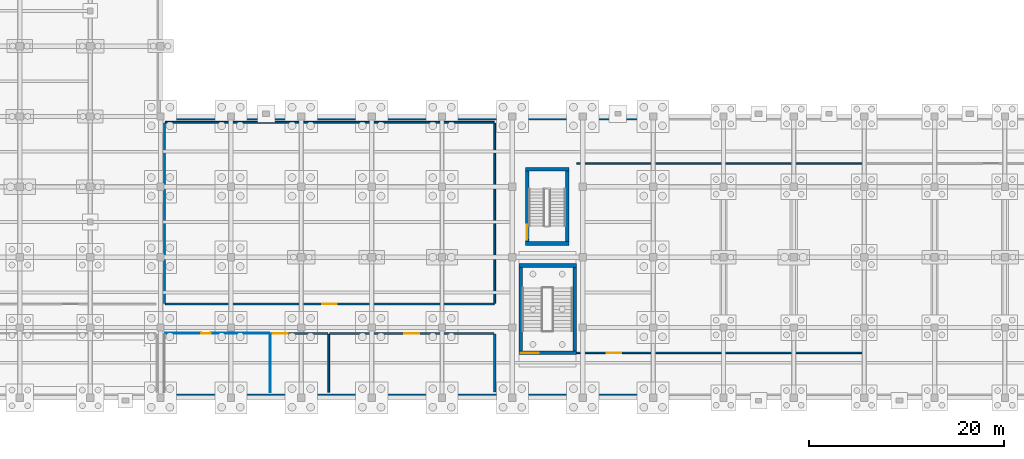
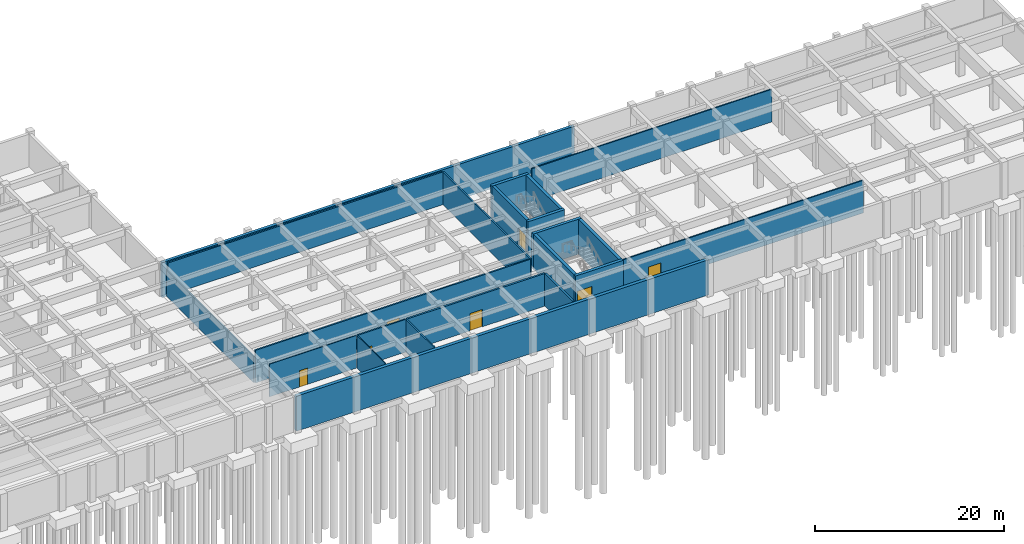
# One storey, part 17 of 28: 22 walls, 7 doors, 7 openings.
"""IFC4 building model written with IfcOpenShell, lengths in metres."""

import ifcopenshell
import ifcopenshell.guid

model = None  # the IFC model being written
_history = None  # IfcOwnerHistory: only IFC2X3 demands one
_inside = {}  # id of a spatial element -> (the spatial element, [elements in it])
_under = {}  # id of a project, library or spatial element -> (it, [spatial elements below it])
_declared = {}  # id of a project -> (the project, [libraries it declares])
_typed = {}  # id of a type object -> (the type object, [elements of that type])
_made_of = {}  # id of a material, layer set ... -> (it, [elements and type objects made of it])


def new_model(schema):
    """Start an empty IFC model of exactly this schema.

    Asked for "IFC4X3", IfcOpenShell would pick the latest addendum, in which some entities
    have other attributes; the version numbers below select the first issue.
    IFC2X3 requires an IfcOwnerHistory on every rooted entity: one is made here for all.
    """
    global model, _history
    if schema == "IFC4X3":
        model = ifcopenshell.file(schema_version=(4, 3, 0, 0))
    else:
        model = ifcopenshell.file(schema=schema)
    _inside.clear()
    _under.clear()
    _declared.clear()
    _typed.clear()
    _made_of.clear()
    _history = None
    if model.schema == "IFC2X3":
        org = make("IfcOrganization", Name="unknown")
        user = make(
            "IfcPersonAndOrganization",
            ThePerson=make("IfcPerson", FamilyName="unknown"),
            TheOrganization=org,
        )
        app = make(
            "IfcApplication",
            ApplicationDeveloper=org,
            Version="unknown",
            ApplicationFullName="unknown",
            ApplicationIdentifier="unknown",
        )
        _history = make(
            "IfcOwnerHistory",
            OwningUser=user,
            OwningApplication=app,
            ChangeAction="ADDED",
            CreationDate=0,
        )
    return model


def make(cls, **values):
    """One entity of the class cls with the attributes given. An attribute that is None is left unset."""
    return model.create_entity(
        cls, **{name: value for name, value in values.items() if value is not None}
    )


def rooted(cls, **values):
    """An entity with a GlobalId (a new one), such as an element, a storey or a relation."""
    return make(cls, GlobalId=ifcopenshell.guid.new(), OwnerHistory=_history, **values)


def si_unit(unit_type, name, prefix=None):
    """IfcSIUnit, for example si_unit("LENGTHUNIT", "METRE", prefix="MILLI")."""
    return make("IfcSIUnit", UnitType=unit_type, Prefix=prefix, Name=name)


def assignment(units):
    """IfcUnitAssignment: the units of a project."""
    return None if units is None else make("IfcUnitAssignment", Units=units)


def point(xyz):
    """IfcCartesianPoint."""
    return None if xyz is None else make("IfcCartesianPoint", Coordinates=xyz)


def direction(xyz):
    """IfcDirection."""
    return None if xyz is None else make("IfcDirection", DirectionRatios=xyz)


def frame(location, z_axis=None, x_axis=None):
    """IfcAxis2Placement3D, a coordinate frame: its origin and axes. An axis left out is left unset."""
    return make(
        "IfcAxis2Placement3D",
        Location=point(location),
        Axis=direction(z_axis),
        RefDirection=direction(x_axis),
    )


def frame_2d(location, x_axis=None):
    """IfcAxis2Placement2D, a coordinate frame in the plane: its origin and x axis."""
    return make(
        "IfcAxis2Placement2D", Location=point(location), RefDirection=direction(x_axis)
    )


def origin():
    """The frame at (0, 0, 0) with its axes left unset."""
    return frame((0.0, 0.0, 0.0))


def place(relative_to, where):
    """IfcLocalPlacement: puts the frame where relative to a parent placement (None: the world)."""
    return make(
        "IfcLocalPlacement", PlacementRelTo=relative_to, RelativePlacement=where
    )


def context(
    kind, dimensions, precision=None, world=None, true_north=None, identifier=None
):
    """IfcGeometricRepresentationContext, for example the 3D "Model" context."""
    return make(
        "IfcGeometricRepresentationContext",
        ContextIdentifier=identifier,
        ContextType=kind,
        CoordinateSpaceDimension=dimensions,
        Precision=precision,
        WorldCoordinateSystem=world,
        TrueNorth=true_north,
    )


def subcontext(parent, identifier, kind, view, scale=None):
    """IfcGeometricRepresentationSubContext, for example "Body" below "Model"."""
    return make(
        "IfcGeometricRepresentationSubContext",
        ContextIdentifier=identifier,
        ContextType=kind,
        ParentContext=parent,
        TargetScale=scale,
        TargetView=view,
    )


def project(units=None, contexts=None):
    """IfcProject with its units and contexts."""
    return rooted(
        "IfcProject",
        Name="project",
        RepresentationContexts=contexts,
        UnitsInContext=assignment(units),
    )


def spatial(cls, under=None, at=None, **own):
    """A site, building, storey or space (cls), placed at a placement, below another one or the project."""
    s = rooted(cls, ObjectPlacement=at, **own)
    if under is not None:
        _under.setdefault(under.id(), (under, []))[1].append(s)
    return s


def profile(cls, at=None, kind="AREA", **sizes):
    """A parametric profile (cls). Its sizes go by their IFC names, for example OverallWidth=200.0."""
    return make(cls, ProfileType=kind, Position=at, **sizes)


def rectangle(**sizes):
    """IfcRectangleProfileDef."""
    return profile("IfcRectangleProfileDef", **sizes)


def extrude(swept, where, along, depth):
    """IfcExtrudedAreaSolid: the profile swept, set in the frame where, extruded along a direction by depth."""
    return make(
        "IfcExtrudedAreaSolid",
        SweptArea=swept,
        Position=where,
        ExtrudedDirection=direction(along),
        Depth=depth,
    )


def shape(context_of_items, identifier, shape_type, items):
    """IfcShapeRepresentation: the items that make up one representation, for example the "Body"."""
    return make(
        "IfcShapeRepresentation",
        ContextOfItems=context_of_items,
        RepresentationIdentifier=identifier,
        RepresentationType=shape_type,
        Items=items,
    )


def material(Name=None, Category=None):
    """IfcMaterial."""
    return make("IfcMaterial", Name=Name, Category=Category)


def layer(
    of_material, thickness, ventilated=None, Name=None, Category=None, Priority=None
):
    """IfcMaterialLayer: one layer of a wall or slab, of a material (None: an air gap)."""
    return make(
        "IfcMaterialLayer",
        Material=of_material,
        LayerThickness=thickness,
        IsVentilated=ventilated,
        Name=Name,
        Category=Category,
        Priority=Priority,
    )


def layer_set(layers, Name=None):
    """IfcMaterialLayerSet."""
    return make("IfcMaterialLayerSet", MaterialLayers=layers, LayerSetName=Name)


def made_of(thing, what):
    """Note that an element or type object is made of a material, layer set ...; save() writes the relation."""
    if what is not None:
        _made_of.setdefault(what.id(), (what, []))[1].append(thing)
    return thing


def type_object(cls, material=None, **own):
    """A type object (cls), such as IfcWallType, which elements share."""
    return made_of(rooted(cls, **own), material)


def element(
    cls,
    number,
    at=None,
    inside=None,
    cuts=None,
    type_object=None,
    material=None,
    context=None,
    identifier="Body",
    shape_type=None,
    held_by="IfcProductDefinitionShape",
    body=None,
    shapes=None,
    **own,
):
    """One element of the class cls, such as IfcWall. Its Tag is "e" and its number.

    at: its placement. inside: the storey or other place that contains it. cuts: it is an
    opening in that element (IfcRelVoidsElement). A single representation is given by context,
    identifier, shape_type and body (its items); several are given by shapes. held_by: the class
    of the entity that holds the representations. save() writes the other relations.
    """
    e = rooted(cls, Tag="e%d" % number, ObjectPlacement=at, **own)
    if body is not None:
        shapes = [shape(context, identifier, shape_type, body)]
    if shapes is not None:
        e.Representation = make(held_by, Representations=shapes)
    if inside is not None:
        _inside.setdefault(inside.id(), (inside, []))[1].append(e)
    if cuts is not None:
        rooted(
            "IfcRelVoidsElement", RelatingBuildingElement=cuts, RelatedOpeningElement=e
        )
    if type_object is not None:
        _typed.setdefault(type_object.id(), (type_object, []))[1].append(e)
    return made_of(e, material)


def fill(opening, filler):
    """IfcRelFillsElement: the door or window that sits in an opening."""
    return rooted(
        "IfcRelFillsElement",
        RelatingOpeningElement=opening,
        RelatedBuildingElement=filler,
    )


def aggregate(whole, parts):
    """IfcRelAggregates: a whole, such as a stair, and the parts it consists of."""
    return rooted("IfcRelAggregates", RelatingObject=whole, RelatedObjects=parts)


def save(model, path):
    """Write the relations noted so far, then the file.

    IfcRelAggregates (storeys below a building ...), IfcRelContainedInSpatialStructure (elements
    in a storey), IfcRelDefinesByType, IfcRelAssociatesMaterial and IfcRelDeclares: one each for
    every whole, place, type object, material and project.
    """
    for whole, parts in _under.values():
        aggregate(whole, parts)
    for where, things in _inside.values():
        rooted(
            "IfcRelContainedInSpatialStructure",
            RelatedElements=things,
            RelatingStructure=where,
        )
    for kind, things in _typed.values():
        rooted("IfcRelDefinesByType", RelatedObjects=things, RelatingType=kind)
    for what, things in _made_of.values():
        rooted("IfcRelAssociatesMaterial", RelatedObjects=things, RelatingMaterial=what)
    for by, libraries in _declared.values():
        rooted("IfcRelDeclares", RelatingContext=by, RelatedDefinitions=libraries)
    model.write(path)


model = new_model("IFC4")

# Units and contexts
model_context = context("Model", 3, precision=1e-05, world=origin(), true_north=direction((0.0, 1.0)))
body_context = subcontext(model_context, "Body", "Model", "MODEL_VIEW")
ifc_project = project(units=[si_unit("LENGTHUNIT", "METRE"), si_unit("AREAUNIT", "SQUARE_METRE"), si_unit("VOLUMEUNIT", "CUBIC_METRE"), si_unit("PLANEANGLEUNIT", "RADIAN"), si_unit("MASSUNIT", "GRAM", prefix="KILO")], contexts=[model_context])

# Site, building, storey
site_placement = place(None, origin())
site = spatial("IfcSite", under=ifc_project, at=site_placement, CompositionType="ELEMENT")
building_placement = place(site_placement, origin())
building = spatial("IfcBuilding", under=site, at=building_placement, Name="Alvorim Cloister Faculty of Sciences", CompositionType="ELEMENT")
storey_placement = place(building_placement, frame((0.0, 0.0, -4.5)))
storey = spatial("IfcBuildingStorey", under=building, at=storey_placement, Name="B01", CompositionType="ELEMENT", Elevation=-4.5)

# Wall
ifc_material_1 = material(Name="Moisture-Resistant Tile Stud Partition", Category="gypsum")
ifc_layer_1 = layer(ifc_material_1, 0.10009765625)
ifc_layer_set_1 = layer_set([ifc_layer_1], Name="Moisture-Resistant Tile Stud Partition")
wall_type_1 = type_object("IfcWallType", Name="WL-PRT-100", PredefinedType="PARTITIONING", material=ifc_layer_set_1)
wall_1_placement = place(storey_placement, frame((76.0, 0.580078125, 0.0), z_axis=(0.0, 0.0, 1.0), x_axis=(0.0, 1.0, 0.0)))
element("IfcWall", 1, at=wall_1_placement, inside=storey, type_object=wall_type_1, Name="B01 Basement Accessible WCs Partition IWL-0436", PredefinedType="PARTITIONING", context=body_context, shape_type="SweptSolid", body=[
    extrude(rectangle(XDim=5.93994140625, YDim=0.10009765625, at=frame_2d((2.969970703125, 0.0))), origin(), (0.0, 0.0, 1.0), 4.22509765625),
])

# Wall, opening, door
wall_2_placement = place(storey_placement, frame((65.280029296875, 6.60009765625, 0.0), z_axis=(0.0, 0.0, 1.0), x_axis=(1.0, 0.0, 0.0)))
wall_2 = element("IfcWall", 2, at=wall_2_placement, inside=storey, type_object=wall_type_1, Name="B01 Basement Accessible WCs Partition IWL-0437", PredefinedType="PARTITIONING", context=body_context, shape_type="SweptSolid", body=[
    extrude(rectangle(XDim=10.639892578125, YDim=0.10009765625, at=frame_2d((5.31982421875, 0.0))), origin(), (0.0, 0.0, 1.0), 4.22509765625),
])
opening_1_placement = place(wall_2_placement, frame((3.688720703125, 0.0, 0.0)))
opening_1 = element("IfcOpeningElement", 3, at=opening_1_placement, cuts=wall_2, Name="Opening D-B01-070", PredefinedType="OPENING", context=body_context, shape_type="SweptSolid", body=[
    extrude(rectangle(XDim=0.949951171875, YDim=2.10009765625, at=frame_2d((0.47509765625, 1.050048828125))), frame((0.0, 0.06201171875, 0.0), z_axis=(0.0, -1.0, 0.0), x_axis=(1.0, 0.0, 0.0)), (0.0, 0.0, 1.0), 0.1240234375),
])
ifc_material_2 = material(Name="Moisture-Resistant Laminate Timber", Category="wood")
door_type_1 = type_object("IfcDoorType", Name="DR-WC-950x2100", OperationType="NOTDEFINED", PredefinedType="DOOR", material=ifc_material_2)
door_1_placement = place(opening_1_placement, origin())
door_1 = element("IfcDoor", 4, at=door_1_placement, inside=storey, type_object=door_type_1, Name="Basement Accessible WCs Door D-B01-070", OperationType="SINGLE_SWING_LEFT", OverallHeight=2.10009765625, OverallWidth=0.949951171875, PredefinedType="DOOR", context=body_context, shape_type="SweptSolid", body=[
    extrude(rectangle(XDim=0.949951171875, YDim=2.10009765625, at=frame_2d((0.47509765625, 1.050048828125))), frame((0.0, 0.02490234375, 0.0), z_axis=(0.0, -1.0, 0.0), x_axis=(1.0, 0.0, 0.0)), (0.0, 0.0, 1.0), 0.050048828125),
])
fill(opening_1, door_1)

ifc_material_3 = material(Name="Gypsum Fireboard Stud Partition", Category="gypsum")
ifc_layer_2 = layer(ifc_material_3, 0.14990234375)
ifc_layer_set_2 = layer_set([ifc_layer_2], Name="Gypsum Fireboard Stud Partition")
wall_type_2 = type_object("IfcWallType", Name="WL-PRT-150", PredefinedType="PARTITIONING", material=ifc_layer_set_2)
wall_3_placement = place(storey_placement, frame((107.3798828125, 4.60009765625, 0.0), z_axis=(0.0, 0.0, 1.0), x_axis=(1.0, 0.0, 0.0)))
wall_3 = element("IfcWall", 5, at=wall_3_placement, inside=storey, type_object=wall_type_2, Name="B01 Sub-Grade Rock Mechanics and Geophysics Lab Partition IWL-0442", PredefinedType="PARTITIONING", context=body_context, shape_type="SweptSolid", body=[
    extrude(rectangle(XDim=29.340087890625, YDim=0.14990234375, at=frame_2d((14.669921875, 0.0))), origin(), (0.0, 0.0, 1.0), 4.22509765625),
])
opening_2_placement = place(wall_3_placement, frame((3.06640625, 0.0, 0.0)))
opening_2 = element("IfcOpeningElement", 6, at=opening_2_placement, cuts=wall_3, Name="Opening D-B01-073", PredefinedType="OPENING", context=body_context, shape_type="SweptSolid", body=[
    extrude(rectangle(XDim=1.5, YDim=2.199951171875, at=frame_2d((0.75, 1.10009765625))), frame((0.0, 0.0869140625, 0.0), z_axis=(0.0, -1.0, 0.0), x_axis=(1.0, 0.0, 0.0)), (0.0, 0.0, 1.0), 0.173828125),
])
ifc_material_4 = material(Name="Fire-Rated Laminate Timber", Category="wood")
door_type_2 = type_object("IfcDoorType", Name="DR-LAB-1500x2200", OperationType="NOTDEFINED", PredefinedType="DOOR", material=ifc_material_4)
door_2_placement = place(opening_2_placement, origin())
door_2 = element("IfcDoor", 7, at=door_2_placement, inside=storey, type_object=door_type_2, Name="Sub-Grade Rock Mechanics and Geophysics Lab Door D-B01-073", OperationType="DOUBLE_DOOR_SINGLE_SWING", OverallHeight=2.199951171875, OverallWidth=1.5, PredefinedType="DOOR", context=body_context, shape_type="SweptSolid", body=[
    extrude(rectangle(XDim=1.5, YDim=2.199951171875, at=frame_2d((0.75, 1.10009765625))), frame((0.0, 0.02490234375, 0.0), z_axis=(0.0, -1.0, 0.0), x_axis=(1.0, 0.0, 0.0)), (0.0, 0.0, 1.0), 0.050048828125),
])
fill(opening_2, door_2)

# Walls
wall_4_placement = place(storey_placement, frame((107.3798828125, 24.0, 0.0), z_axis=(0.0, 0.0, 1.0), x_axis=(1.0, 0.0, 0.0)))
element("IfcWall", 8, at=wall_4_placement, inside=storey, type_object=wall_type_2, Name="B01 Sub-Grade Rock Mechanics and Geophysics Lab Partition IWL-0444", PredefinedType="PARTITIONING", context=body_context, shape_type="SweptSolid", body=[
    extrude(rectangle(XDim=29.340087890625, YDim=0.14990234375, at=frame_2d((14.669921875, 0.0))), origin(), (0.0, 0.0, 1.0), 4.22509765625),
])
ifc_layer_3 = layer(ifc_material_3, 0.179931640625)
ifc_layer_set_3 = layer_set([ifc_layer_3], Name="Gypsum Fireboard Stud Partition")
wall_type_3 = type_object("IfcWallType", Name="WL-PRT-180", PredefinedType="PARTITIONING", material=ifc_layer_set_3)
wall_5_placement = place(storey_placement, frame((65.199951171875, 9.679931640625, 0.0), z_axis=(0.0, 0.0, 1.0), x_axis=(0.0, 1.0, 0.0)))
element("IfcWall", 9, at=wall_5_placement, inside=storey, type_object=wall_type_3, Name="B01 Covered Bicycle Mobility Hub and Lockers Partition IWL-0431", PredefinedType="PARTITIONING", context=body_context, shape_type="SweptSolid", body=[
    extrude(rectangle(XDim=18.440185546875, YDim=0.179931640625, at=frame_2d((9.22021484375, 0.0))), origin(), (0.0, 0.0, 1.0), 3.375),
])

# Wall, opening, door
wall_6_placement = place(storey_placement, frame((65.280029296875, 9.60009765625, 0.0), z_axis=(0.0, 0.0, 1.0), x_axis=(1.0, 0.0, 0.0)))
wall_6 = element("IfcWall", 10, at=wall_6_placement, inside=storey, type_object=wall_type_3, Name="B01 Covered Bicycle Mobility Hub and Lockers Partition IWL-0432", PredefinedType="PARTITIONING", context=body_context, shape_type="SweptSolid", body=[
    extrude(rectangle(XDim=33.639892578125, YDim=0.179931640625, at=frame_2d((16.81982421875, 0.0))), origin(), (0.0, 0.0, 1.0), 4.22509765625),
])
opening_3_placement = place(wall_6_placement, frame((16.070068359375, 0.0, 0.0)))
opening_3 = element("IfcOpeningElement", 11, at=opening_3_placement, cuts=wall_6, Name="Opening D-B01-069", PredefinedType="OPENING", context=body_context, shape_type="SweptSolid", body=[
    extrude(rectangle(XDim=1.5, YDim=2.25, at=frame_2d((0.75, 1.125))), frame((0.0, 0.10205078125, 0.0), z_axis=(0.0, -1.0, 0.0), x_axis=(1.0, 0.0, 0.0)), (0.0, 0.0, 1.0), 0.203857421875),
])
ifc_material_5 = material(Name="Galvanised Fire-Rated Steel", Category="steel")
door_type_3 = type_object("IfcDoorType", Name="DR-PLN-1500x2250", OperationType="NOTDEFINED", PredefinedType="DOOR", material=ifc_material_5)
door_3_placement = place(opening_3_placement, origin())
door_3 = element("IfcDoor", 12, at=door_3_placement, inside=storey, type_object=door_type_3, Name="Covered Bicycle Mobility Hub and Lockers Door D-B01-069", OperationType="DOUBLE_DOOR_SINGLE_SWING", OverallHeight=2.25, OverallWidth=1.5, PredefinedType="DOOR", context=body_context, shape_type="SweptSolid", body=[
    extrude(rectangle(XDim=1.5, YDim=2.25, at=frame_2d((0.75, 1.125))), frame((0.0, 0.02490234375, 0.0), z_axis=(0.0, -1.0, 0.0), x_axis=(1.0, 0.0, 0.0)), (0.0, 0.0, 1.0), 0.050048828125),
])
fill(opening_3, door_3)

# Walls
wall_7_placement = place(storey_placement, frame((99.0, 9.679931640625, 0.0), z_axis=(0.0, 0.0, 1.0), x_axis=(0.0, 1.0, 0.0)))
element("IfcWall", 13, at=wall_7_placement, inside=storey, type_object=wall_type_3, Name="B01 Covered Bicycle Mobility Hub and Lockers Partition IWL-0433", PredefinedType="PARTITIONING", context=body_context, shape_type="SweptSolid", body=[
    extrude(rectangle(XDim=18.440185546875, YDim=0.179931640625, at=frame_2d((9.22021484375, 0.0))), origin(), (0.0, 0.0, 1.0), 4.22509765625),
])
wall_8_placement = place(storey_placement, frame((65.280029296875, 28.199951171875, 0.0), z_axis=(0.0, 0.0, 1.0), x_axis=(1.0, 0.0, 0.0)))
element("IfcWall", 14, at=wall_8_placement, inside=storey, type_object=wall_type_3, Name="B01 Covered Bicycle Mobility Hub and Lockers Partition IWL-0434", PredefinedType="PARTITIONING", context=body_context, shape_type="SweptSolid", body=[
    extrude(rectangle(XDim=33.639892578125, YDim=0.179931640625, at=frame_2d((16.81982421875, 0.0))), origin(), (0.0, 0.0, 1.0), 4.22509765625),
])
wall_9_placement = place(storey_placement, frame((82.0, 0.580078125, 0.0), z_axis=(0.0, 0.0, 1.0), x_axis=(0.0, 1.0, 0.0)))
element("IfcWall", 15, at=wall_9_placement, inside=storey, type_object=wall_type_3, Name="B01 Basement Janitorial and Linen Store Partition IWL-0438", PredefinedType="PARTITIONING", context=body_context, shape_type="SweptSolid", body=[
    extrude(rectangle(XDim=5.93994140625, YDim=0.179931640625, at=frame_2d((2.969970703125, 0.0))), origin(), (0.0, 0.0, 1.0), 4.22509765625),
])

# Wall, opening, door
wall_10_placement = place(storey_placement, frame((76.080078125, 6.60009765625, 0.0), z_axis=(0.0, 0.0, 1.0), x_axis=(1.0, 0.0, 0.0)))
wall_10 = element("IfcWall", 16, at=wall_10_placement, inside=storey, type_object=wall_type_3, Name="B01 Basement Janitorial and Linen Store Partition IWL-0439", PredefinedType="PARTITIONING", context=body_context, shape_type="SweptSolid", body=[
    extrude(rectangle(XDim=5.83984375, YDim=0.179931640625, at=frame_2d((2.919921875, 0.0))), origin(), (0.0, 0.0, 1.0), 4.22509765625),
])
opening_4_placement = place(wall_10_placement, frame((0.219970703125, 0.0, 0.0)))
opening_4 = element("IfcOpeningElement", 17, at=opening_4_placement, cuts=wall_10, Name="Opening D-B01-071", PredefinedType="OPENING", context=body_context, shape_type="SweptSolid", body=[
    extrude(rectangle(XDim=1.5, YDim=2.25, at=frame_2d((0.75, 1.125))), frame((0.0, 0.10205078125, 0.0), z_axis=(0.0, -1.0, 0.0), x_axis=(1.0, 0.0, 0.0)), (0.0, 0.0, 1.0), 0.203857421875),
])
door_4_placement = place(opening_4_placement, origin())
door_4 = element("IfcDoor", 18, at=door_4_placement, inside=storey, type_object=door_type_3, Name="Basement Janitorial and Linen Store Door D-B01-071", OperationType="DOUBLE_DOOR_SINGLE_SWING", OverallHeight=2.25, OverallWidth=1.5, PredefinedType="DOOR", context=body_context, shape_type="SweptSolid", body=[
    extrude(rectangle(XDim=1.5, YDim=2.25, at=frame_2d((0.75, 1.125))), frame((0.0, 0.02490234375, 0.0), z_axis=(0.0, -1.0, 0.0), x_axis=(1.0, 0.0, 0.0)), (0.0, 0.0, 1.0), 0.050048828125),
])
fill(opening_4, door_4)

# Wall
ifc_material_6 = material(Name="Autoclaved Aerated Concrete Blockwork", Category="masonry")
ifc_layer_4 = layer(ifc_material_6, 0.219970703125)
ifc_layer_set_4 = layer_set([ifc_layer_4], Name="Autoclaved Aerated Concrete Blockwork")
wall_type_4 = type_object("IfcWallType", Name="WL-PRT-220", PredefinedType="PARTITIONING", material=ifc_layer_set_4)
wall_11_placement = place(storey_placement, frame((99.0, 0.580078125, 0.0), z_axis=(0.0, 0.0, 1.0), x_axis=(0.0, 1.0, 0.0)))
element("IfcWall", 19, at=wall_11_placement, inside=storey, type_object=wall_type_4, Name="B01 Emergency Generator and Switchgear Room Partition IWL-0440", PredefinedType="PARTITIONING", context=body_context, shape_type="SweptSolid", body=[
    extrude(rectangle(XDim=5.93994140625, YDim=0.219970703125, at=frame_2d((2.969970703125, 0.0))), origin(), (0.0, 0.0, 1.0), 4.22509765625),
])

# Wall, opening, door
wall_12_placement = place(storey_placement, frame((82.080078125, 6.60009765625, 0.0), z_axis=(0.0, 0.0, 1.0), x_axis=(1.0, 0.0, 0.0)))
wall_12 = element("IfcWall", 20, at=wall_12_placement, inside=storey, type_object=wall_type_4, Name="B01 Emergency Generator and Switchgear Room Partition IWL-0441", PredefinedType="PARTITIONING", context=body_context, shape_type="SweptSolid", body=[
    extrude(rectangle(XDim=16.83984375, YDim=0.219970703125, at=frame_2d((8.419921875, 0.0))), origin(), (0.0, 0.0, 1.0), 4.22509765625),
])
opening_5_placement = place(wall_12_placement, frame((7.669921875, 0.0, 0.0)))
opening_5 = element("IfcOpeningElement", 21, at=opening_5_placement, cuts=wall_12, Name="Opening D-B01-072", PredefinedType="OPENING", context=body_context, shape_type="SweptSolid", body=[
    extrude(rectangle(XDim=1.5, YDim=2.25, at=frame_2d((0.75, 1.125))), frame((0.0, 0.1220703125, 0.0), z_axis=(0.0, -1.0, 0.0), x_axis=(1.0, 0.0, 0.0)), (0.0, 0.0, 1.0), 0.243896484375),
])
door_5_placement = place(opening_5_placement, origin())
door_5 = element("IfcDoor", 22, at=door_5_placement, inside=storey, type_object=door_type_3, Name="Emergency Generator and Switchgear Room Door D-B01-072", OperationType="DOUBLE_DOOR_SINGLE_SWING", OverallHeight=2.25, OverallWidth=1.5, PredefinedType="DOOR", context=body_context, shape_type="SweptSolid", body=[
    extrude(rectangle(XDim=1.5, YDim=2.25, at=frame_2d((0.75, 1.125))), frame((0.0, 0.02490234375, 0.0), z_axis=(0.0, -1.0, 0.0), x_axis=(1.0, 0.0, 0.0)), (0.0, 0.0, 1.0), 0.050048828125),
])
fill(opening_5, door_5)

# Walls
ifc_material_7 = material(Name="Concrete C40", Category="concrete")
ifc_layer_5 = layer(ifc_material_7, 0.35009765625)
ifc_layer_set_5 = layer_set([ifc_layer_5], Name="Concrete C40")
wall_type_5 = type_object("IfcWallType", Name="WL-RET-350", PredefinedType="USERDEFINED", material=ifc_layer_set_5)
wall_13_placement = place(storey_placement, frame((64.800048828125, 28.625, -0.300048828125), z_axis=(0.0, 0.0, 1.0), x_axis=(1.0, 0.0, 0.0)))
element("IfcWall", 23, at=wall_13_placement, inside=storey, type_object=wall_type_5, Name="B01 Perimeter Retaining Wall WL-RET-0016", ObjectType="RETAINING WALL", PredefinedType="USERDEFINED", context=body_context, shape_type="SweptSolid", body=[
    extrude(rectangle(XDim=50.39990234375, YDim=0.35009765625, at=frame_2d((25.199951171875, 0.0))), origin(), (0.0, 0.0, 1.0), 4.5400390625),
])
ifc_layer_6 = layer(ifc_material_7, 0.39990234375)
ifc_layer_set_6 = layer_set([ifc_layer_6], Name="Concrete C40")
wall_type_6 = type_object("IfcWallType", Name="WL-RET-400", PredefinedType="USERDEFINED", material=ifc_layer_set_6)
wall_14_placement = place(storey_placement, frame((115.199951171875, 0.199951171875, -0.300048828125), z_axis=(0.0, 0.0, 1.0), x_axis=(-1.0, 0.0, 0.0)))
element("IfcWall", 24, at=wall_14_placement, inside=storey, type_object=wall_type_6, Name="B01 Perimeter Retaining Wall WL-RET-0004", ObjectType="RETAINING WALL", PredefinedType="USERDEFINED", context=body_context, shape_type="SweptSolid", body=[
    extrude(rectangle(XDim=50.39990234375, YDim=0.39990234375, at=frame_2d((25.199951171875, 0.0))), origin(), (0.0, 0.0, 1.0), 4.5400390625),
])
ifc_layer_7 = layer(ifc_material_7, 0.360107421875)
ifc_layer_set_7 = layer_set([ifc_layer_7], Name="Concrete C40")
wall_type_7 = type_object("IfcWallType", Name="WL-SHR-360", PredefinedType="SHEAR", material=ifc_layer_set_7)
for number, where, z_axis, x_axis, name in (
    (25, (102.1201171875, 15.800048828125, -0.300048828125), (0.0, 0.0, 1.0), (1.0, 0.0, 0.0), "B01 CORE K6 Shear Wall IWL-0185"),
    (26, (102.1201171875, 23.39990234375, -0.300048828125), (0.0, 0.0, 1.0), (1.0, 0.0, 0.0), "B01 CORE K6 Shear Wall IWL-0186"),
):
    element("IfcWall", number, at=place(storey_placement, frame(where, z_axis=z_axis, x_axis=x_axis)), inside=storey, type_object=wall_type_7, Name=name, PredefinedType="SHEAR", context=body_context, shape_type="SweptSolid", body=[
        extrude(rectangle(XDim=4.47998046875, YDim=0.360107421875, at=frame_2d((2.239990234375, 0.0))), origin(), (0.0, 0.0, 1.0), 4.5400390625),
    ])

# Wall, opening, door
wall_15_placement = place(storey_placement, frame((102.300048828125, 15.97998046875, -0.300048828125), z_axis=(0.0, 0.0, 1.0), x_axis=(0.0, 1.0, 0.0)))
wall_15 = element("IfcWall", 27, at=wall_15_placement, inside=storey, type_object=wall_type_7, Name="B01 CORE K6 Shear Wall IWL-0187", PredefinedType="SHEAR", context=body_context, shape_type="SweptSolid", body=[
    extrude(rectangle(XDim=7.239990234375, YDim=0.360107421875, at=frame_2d((3.6201171875, 0.0))), origin(), (0.0, 0.0, 1.0), 4.5400390625),
])
opening_6_placement = place(wall_15_placement, frame((0.219970703125, 0.0, 0.300048828125)))
opening_6 = element("IfcOpeningElement", 28, at=opening_6_placement, cuts=wall_15, Name="Opening SD-K6-B01", PredefinedType="OPENING", context=body_context, shape_type="SweptSolid", body=[
    extrude(rectangle(XDim=1.5, YDim=2.199951171875, at=frame_2d((0.75, 1.10009765625))), frame((0.0, 0.19189453125, 0.0), z_axis=(0.0, -1.0, 0.0), x_axis=(1.0, 0.0, 0.0)), (0.0, 0.0, 1.0), 0.384033203125),
])
door_type_4 = type_object("IfcDoorType", Name="DR-STR-1500x2200", OperationType="NOTDEFINED", PredefinedType="DOOR", material=ifc_material_5)
door_6_placement = place(opening_6_placement, origin())
door_6 = element("IfcDoor", 29, at=door_6_placement, inside=storey, type_object=door_type_4, Name="B01 Stair ST-06 Fire Door SD-K6-B01", OperationType="DOUBLE_DOOR_SINGLE_SWING", OverallHeight=2.199951171875, OverallWidth=1.5, PredefinedType="DOOR", context=body_context, shape_type="SweptSolid", body=[
    extrude(rectangle(XDim=1.5, YDim=2.199951171875, at=frame_2d((0.75, 1.10009765625))), frame((0.0, 0.02490234375, 0.0), z_axis=(0.0, -1.0, 0.0), x_axis=(1.0, 0.0, 0.0)), (0.0, 0.0, 1.0), 0.050048828125),
])
fill(opening_6, door_6)

# Wall
wall_16_placement = place(storey_placement, frame((106.419921875, 15.97998046875, -0.300048828125), z_axis=(0.0, 0.0, 1.0), x_axis=(0.0, 1.0, 0.0)))
element("IfcWall", 30, at=wall_16_placement, inside=storey, type_object=wall_type_7, Name="B01 CORE K6 Shear Wall IWL-0188", PredefinedType="SHEAR", context=body_context, shape_type="SweptSolid", body=[
    extrude(rectangle(XDim=7.239990234375, YDim=0.360107421875, at=frame_2d((3.6201171875, 0.0))), origin(), (0.0, 0.0, 1.0), 4.5400390625),
])

# Wall, opening, door
wall_17_placement = place(storey_placement, frame((101.4599609375, 4.60009765625, -0.300048828125), z_axis=(0.0, 0.0, 1.0), x_axis=(1.0, 0.0, 0.0)))
wall_17 = element("IfcWall", 31, at=wall_17_placement, inside=storey, type_object=wall_type_7, Name="B01 CORE K7 Shear Wall IWL-0209", PredefinedType="SHEAR", context=body_context, shape_type="SweptSolid", body=[
    extrude(rectangle(XDim=5.880126953125, YDim=0.360107421875, at=frame_2d((2.93994140625, 0.0))), origin(), (0.0, 0.0, 1.0), 4.5400390625),
])
opening_7_placement = place(wall_17_placement, frame((0.219970703125, 0.0, 0.300048828125)))
opening_7 = element("IfcOpeningElement", 32, at=opening_7_placement, cuts=wall_17, Name="Opening SD-K7-B01", PredefinedType="OPENING", context=body_context, shape_type="SweptSolid", body=[
    extrude(rectangle(XDim=1.800048828125, YDim=2.199951171875, at=frame_2d((0.89990234375, 1.10009765625))), frame((0.0, 0.19189453125, 0.0), z_axis=(0.0, -1.0, 0.0), x_axis=(1.0, 0.0, 0.0)), (0.0, 0.0, 1.0), 0.384033203125),
])
door_type_5 = type_object("IfcDoorType", Name="DR-STR-1800x2200", OperationType="NOTDEFINED", PredefinedType="DOOR", material=ifc_material_5)
door_7_placement = place(opening_7_placement, origin())
door_7 = element("IfcDoor", 33, at=door_7_placement, inside=storey, type_object=door_type_5, Name="B01 Stair ST-12 Fire Door SD-K7-B01", OperationType="DOUBLE_DOOR_SINGLE_SWING", OverallHeight=2.199951171875, OverallWidth=1.800048828125, PredefinedType="DOOR", context=body_context, shape_type="SweptSolid", body=[
    extrude(rectangle(XDim=1.800048828125, YDim=2.199951171875, at=frame_2d((0.89990234375, 1.10009765625))), frame((0.0, 0.02490234375, 0.0), z_axis=(0.0, -1.0, 0.0), x_axis=(1.0, 0.0, 0.0)), (0.0, 0.0, 1.0), 0.050048828125),
])
fill(opening_7, door_7)

# Walls
wall_18_placement = place(storey_placement, frame((101.4599609375, 13.550048828125, -0.300048828125), z_axis=(0.0, 0.0, 1.0), x_axis=(1.0, 0.0, 0.0)))
element("IfcWall", 34, at=wall_18_placement, inside=storey, type_object=wall_type_7, Name="B01 CORE K7 Shear Wall IWL-0210", PredefinedType="SHEAR", context=body_context, shape_type="SweptSolid", body=[
    extrude(rectangle(XDim=5.880126953125, YDim=0.360107421875, at=frame_2d((2.93994140625, 0.0))), origin(), (0.0, 0.0, 1.0), 4.5400390625),
])
for number, where, z_axis, x_axis, name in (
    (35, (101.639892578125, 4.780029296875, -0.300048828125), (0.0, 0.0, 1.0), (0.0, 1.0, 0.0), "B01 CORE K7 Shear Wall IWL-0211"),
    (36, (107.159912109375, 4.780029296875, -0.300048828125), (0.0, 0.0, 1.0), (0.0, 1.0, 0.0), "B01 CORE K7 Shear Wall IWL-0212"),
):
    element("IfcWall", number, at=place(storey_placement, frame(where, z_axis=z_axis, x_axis=x_axis)), inside=storey, type_object=wall_type_7, Name=name, PredefinedType="SHEAR", context=body_context, shape_type="SweptSolid", body=[
        extrude(rectangle(XDim=8.590087890625, YDim=0.360107421875, at=frame_2d((4.294921875, 0.0))), origin(), (0.0, 0.0, 1.0), 4.5400390625),
    ])

save(model, "model.ifc")
